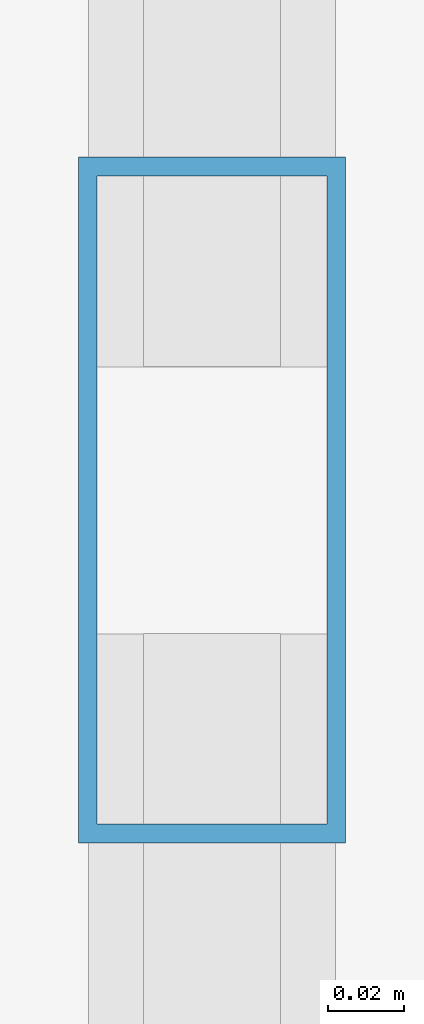
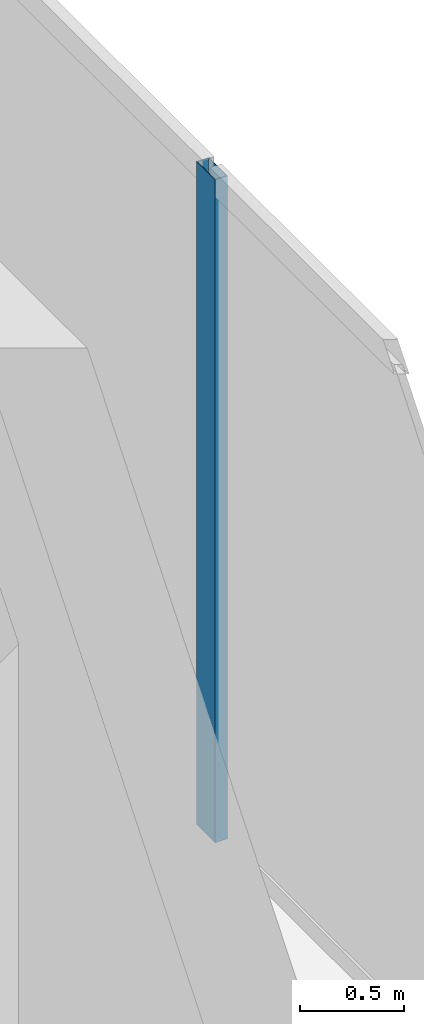
# One storey, part 16 of 32: 1 member, 1 element without a shape of its own.
"""IFC4 building model written with IfcOpenShell, lengths in metres."""

from ifc_helpers import new_model, si_unit, direction, frame, origin, origin_2d, place, context, subcontext, project, spatial, hollow_rectangle, extrude, source, transform, mapped, material, layer, layer_set, material_profile, profile_set, type_object, type_shapes, element, aggregate, save


model = new_model("IFC4")

# Units and contexts
model_context = context("Model", 3, precision=1e-05, world=origin(), true_north=direction((0.0, 1.0)))
body_context = subcontext(model_context, "Body", "Model", "MODEL_VIEW")
ifc_project = project(units=[si_unit("LENGTHUNIT", "METRE"), si_unit("AREAUNIT", "SQUARE_METRE"), si_unit("VOLUMEUNIT", "CUBIC_METRE"), si_unit("PLANEANGLEUNIT", "RADIAN"), si_unit("MASSUNIT", "GRAM", prefix="KILO")], contexts=[model_context])

# Site, building, storey
site_placement = place(None, origin())
site = spatial("IfcSite", under=ifc_project, at=site_placement, CompositionType="ELEMENT")
building_placement = place(site_placement, origin())
building = spatial("IfcBuilding", under=site, at=building_placement, Name="Haelvirn Gate Laboratories", CompositionType="ELEMENT")
storey_placement = place(building_placement, frame((0.0, 0.0, 306.0)))
storey = spatial("IfcBuildingStorey", under=building, at=storey_placement, Name="L73", CompositionType="ELEMENT", Elevation=306.0)

# Curtain wall, member
ifc_material_1 = material(Name="Anodised bronze unitised aluminium & triple low-E glass", Category="aluminium")
ifc_layer = layer(ifc_material_1, 0.176025390625, Name="CW-SYS-4")
ifc_layer_set = layer_set([ifc_layer], Name="Anodised bronze unitised aluminium & triple low-E glass")
curtain_wall_type = type_object("IfcCurtainWallType", Name="CW-SYS-4", PredefinedType="NOTDEFINED", material=ifc_layer_set)
curtain_wall_placement = place(storey_placement, origin())
curtain_wall = element("IfcCurtainWall", 1, at=curtain_wall_placement, inside=storey, type_object=curtain_wall_type, Name="L73 Unitised Curtain Wall CW-L73-P0-E07", PredefinedType="NOTDEFINED")
ifc_material_2 = material(Name="Extruded aluminium 6063-T6 (anodised bronze)", Category="aluminium")
ifc_material_profile = material_profile(ifc_material_2, hollow_rectangle(XDim=0.070068359375, YDim=0.179931640625, WallThickness=0.0048828125, at=origin_2d()), Name="CWM-180x70x5")
ifc_profile_set = profile_set([ifc_material_profile], Name="Extruded aluminium 6063-T6 (anodised bronze)")
member_type = type_object("IfcMemberType", Name="CWM-T180", PredefinedType="MULLION", material=ifc_profile_set)
shared_shape = source(origin(), body_context, "Body", "SweptSolid", [
    extrude(hollow_rectangle(XDim=0.070068359375, YDim=0.179931640625, WallThickness=0.0048828125, at=origin_2d()), origin(), (0.0, 0.0, 1.0), 3.89990234375),
])
type_shapes(member_type, [shared_shape])
member_placement = place(storey_placement, frame((68.89990234375, 24.300048828125, 0.0), z_axis=(0.0, 0.0, 1.0), x_axis=(-1.0, 0.0, 0.0)))
member = element("IfcMember", 2, at=member_placement, type_object=member_type, Name="CW4 mullion 2", PredefinedType="MULLION", context=body_context, shape_type="MappedRepresentation", body=[
    mapped(shared_shape, transform((0.0, 0.0, 0.0), scale=1.0)),
])
aggregate(curtain_wall, [member])

save(model, "model.ifc")
